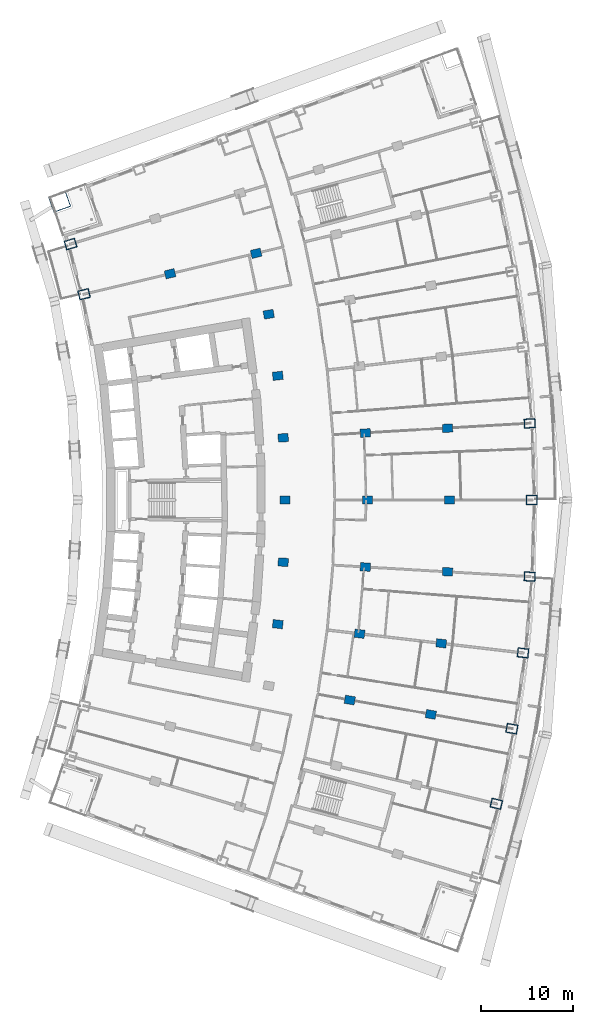
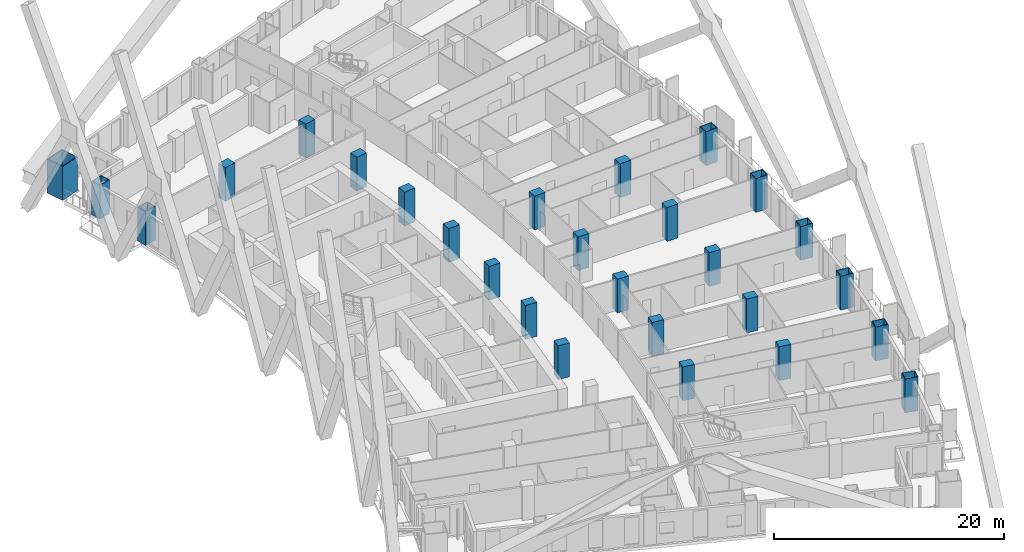
# One storey, part 5 of 23: 27 columns.
"""IFC4 building model written with IfcOpenShell, lengths in metres."""

from ifc_helpers import new_model, si_unit, direction, frame, origin, origin_2d, place, context, subcontext, project, spatial, rectangle, hollow_rectangle, extrude, material, material_profile, profile_set, type_object, element, save


model = new_model("IFC4")

# Units and contexts
model_context = context("Model", 3, precision=1e-05, world=origin(), true_north=direction((0.0, 1.0)))
body_context = subcontext(model_context, "Body", "Model", "MODEL_VIEW")
ifc_project = project(units=[si_unit("LENGTHUNIT", "METRE"), si_unit("AREAUNIT", "SQUARE_METRE"), si_unit("VOLUMEUNIT", "CUBIC_METRE"), si_unit("PLANEANGLEUNIT", "RADIAN"), si_unit("MASSUNIT", "GRAM", prefix="KILO")], contexts=[model_context])

# Site, building, storey
site_placement = place(None, origin())
site = spatial("IfcSite", under=ifc_project, at=site_placement, CompositionType="ELEMENT")
building_placement = place(site_placement, origin())
building = spatial("IfcBuilding", under=site, at=building_placement, Name="Alderwake Tower", CompositionType="ELEMENT")
storey_placement = place(building_placement, frame((0.0, 0.0, 53.60009765625)))
storey = spatial("IfcBuildingStorey", under=building, at=storey_placement, Name="L12", CompositionType="ELEMENT", Elevation=53.60009765625)

# Columns
ifc_material_1 = material(Name="Concrete C70/85", Category="concrete")
ifc_material_profile_1 = material_profile(ifc_material_1, rectangle(XDim=0.89990234375, YDim=1.10009765625, at=origin_2d()), Name="RC 1100X900")
ifc_profile_set_1 = profile_set([ifc_material_profile_1], Name="Concrete C70/85")
column_type_1 = type_object("IfcColumnType", Name="Interior column Z1", PredefinedType="COLUMN", material=ifc_profile_set_1)
for number, where, z_axis, x_axis, name in (
    (1, (42.828125, 39.282958984375, 0.0), (0.0, 0.0, 1.0), (0.174108800747, 0.984726421654, 0.0), "Column R04-C3"),
    (2, (51.625, 37.7275390625, 0.0), (0.0, 0.0, 1.0), (0.174108800747, 0.984726421654, 0.0), "Column R04-C4"),
    (3, (35.0126953125, 47.5205078125, 0.0), (0.0, 0.0, 1.0), (0.116402054316, 0.993202175668, 0.0), "Column R05-C2"),
    (4, (43.885498046875, 46.480712890625, 0.0), (0.0, 0.0, 1.0), (0.116402054316, 0.993202175668, 0.0), "Column R05-C3"),
    (5, (52.758056640625, 45.44091796875, 0.0), (0.0, 0.0, 1.0), (0.116402054316, 0.993202175668, 0.0), "Column R05-C4"),
    (6, (35.60302734375, 54.248779296875, 0.0), (0.0, 0.0, 1.0), (0.058301061284, 0.998299046505, 0.0), "Column R06-C2"),
    (7, (44.52099609375, 53.72802734375, 0.0), (0.0, 0.0, 1.0), (0.058301061284, 0.998299046505, 0.0), "Column R06-C3"),
    (8, (53.439208984375, 53.207275390625, 0.0), (0.0, 0.0, 1.0), (0.058301061284, 0.998299046505, 0.0), "Column R06-C4"),
    (9, (35.800048828125, 61.0, 0.0), (0.0, 0.0, 1.0), (0.0, 1.0, 0.0), "Column R07-C2"),
    (10, (44.7333984375, 61.0, 0.0), (0.0, 0.0, 1.0), (0.0, 1.0, 0.0), "Column R07-C3"),
    (11, (53.666748046875, 61.0, 0.0), (0.0, 0.0, 1.0), (0.0, 1.0, 0.0), "Column R07-C4"),
    (12, (35.60302734375, 67.751220703125, 0.0), (0.0, 0.0, 1.0), (-0.058301061284, 0.998299046505, 0.0), "Column R08-C2"),
    (13, (44.52099609375, 68.27197265625, 0.0), (0.0, 0.0, 1.0), (-0.058301061284, 0.998299046505, 0.0), "Column R08-C3"),
    (14, (53.439208984375, 68.792724609375, 0.0), (0.0, 0.0, 1.0), (-0.058301061284, 0.998299046505, 0.0), "Column R08-C4"),
    (15, (35.0126953125, 74.4794921875, 0.0), (0.0, 0.0, 1.0), (-0.116402054316, 0.993202175668, 0.0), "Column R09-C2"),
    (16, (34.03125, 81.16162109375, 0.0), (0.0, 0.0, 1.0), (-0.174108800747, 0.984726421654, 0.0), "Column R10-C2"),
    (17, (23.322021484375, 85.555908203125, 0.0), (0.0, 0.0, 1.0), (-0.231221547198, 0.972901123502, 0.0), "Column R11-C1"),
    (18, (32.661865234375, 87.775390625, 0.0), (0.0, 0.0, 1.0), (-0.231221547198, 0.972901123502, 0.0), "Column R11-C2"),
):
    element("IfcColumn", number, at=place(storey_placement, frame(where, z_axis=z_axis, x_axis=x_axis)), inside=storey, type_object=column_type_1, Name=name, PredefinedType="COLUMN", context=body_context, shape_type="SweptSolid", body=[
        extrude(rectangle(XDim=0.89990234375, YDim=1.10009765625, at=origin_2d()), origin(), (0.0, 0.0, 1.0), 3.599853515625),
    ])
ifc_material_2 = material(Name="Steel ASTM A572 Grade 50 concrete filled C70/85", Category="concrete")
ifc_material_profile_2 = material_profile(ifc_material_2, hollow_rectangle(XDim=1.800048828125, YDim=2.0, WallThickness=0.090087890625, at=origin_2d()), Name="BOX 2000X1800X90")
ifc_profile_set_2 = profile_set([ifc_material_profile_2], Name="Steel ASTM A572 Grade 50 concrete filled C70/85")
column_type_2 = type_object("IfcColumnType", Name="Mega column Z1", PredefinedType="COLUMN", material=ifc_profile_set_2)
column_placement = place(storey_placement, frame((11.330810546875, 93.377197265625, 0.0), z_axis=(0.0, 0.0, 1.0), x_axis=(-0.334130947791, 0.942526662609, 0.0)))
element("IfcColumn", 19, at=column_placement, inside=storey, type_object=column_type_2, Name="Column R13-C0", PredefinedType="COLUMN", context=body_context, shape_type="SweptSolid", body=[
    extrude(hollow_rectangle(XDim=1.800048828125, YDim=2.0, WallThickness=0.090087890625, at=origin_2d()), origin(), (0.0, 0.0, 1.0), 3.599853515625),
])
ifc_material_3 = material(Name="Steel ASTM A572 Grade 50 concrete filled C70/85", Category="concrete")
ifc_material_profile_3 = material_profile(ifc_material_3, hollow_rectangle(XDim=1.0, YDim=1.199951171875, WallThickness=0.06005859375, at=origin_2d()), Name="BOX 1200X1000X60")
ifc_profile_set_3 = profile_set([ifc_material_profile_3], Name="Steel ASTM A572 Grade 50 concrete filled C70/85")
column_type_3 = type_object("IfcColumnType", Name="Perimeter column Z1", PredefinedType="COLUMN", material=ifc_profile_set_3)
for number, where, z_axis, x_axis, name in (
    (20, (58.735595703125, 28.02783203125, 0.0), (0.0, 0.0, 1.0), (0.231221547198, 0.972901123502, 0.0), "Column R03-C5"),
    (21, (60.422119140625, 36.172119140625, 0.0), (0.0, 0.0, 1.0), (0.174108800747, 0.984726421654, 0.0), "Column R04-C5"),
    (22, (61.630615234375, 44.40087890625, 0.0), (0.0, 0.0, 1.0), (0.116402054316, 0.993202175668, 0.0), "Column R05-C5"),
    (23, (62.357421875, 52.686279296875, 0.0), (0.0, 0.0, 1.0), (0.058299318924, 0.998299148258, 0.0), "Column R06-C5"),
    (24, (62.60009765625, 61.0, 0.0), (0.0, 0.0, 1.0), (0.0, 1.0, 0.0), "Column R07-C5"),
    (25, (62.357421875, 69.313720703125, 0.0), (0.0, 0.0, 1.0), (-0.058299318924, 0.998299148258, 0.0), "Column R08-C5"),
    (26, (13.982177734375, 83.3359375, 0.0), (0.0, 0.0, 1.0), (-0.231221547198, 0.972901123502, 0.0), "Column R11-C0"),
    (27, (12.520263671875, 88.777099609375, 0.0), (0.0, 0.0, 1.0), (-0.287549418125, 0.957765802342, 0.0), "Column R12-C0"),
):
    element("IfcColumn", number, at=place(storey_placement, frame(where, z_axis=z_axis, x_axis=x_axis)), inside=storey, type_object=column_type_3, Name=name, PredefinedType="COLUMN", context=body_context, shape_type="SweptSolid", body=[
        extrude(hollow_rectangle(XDim=1.0, YDim=1.199951171875, WallThickness=0.06005859375, at=origin_2d()), origin(), (0.0, 0.0, 1.0), 3.599853515625),
    ])

save(model, "model.ifc")
